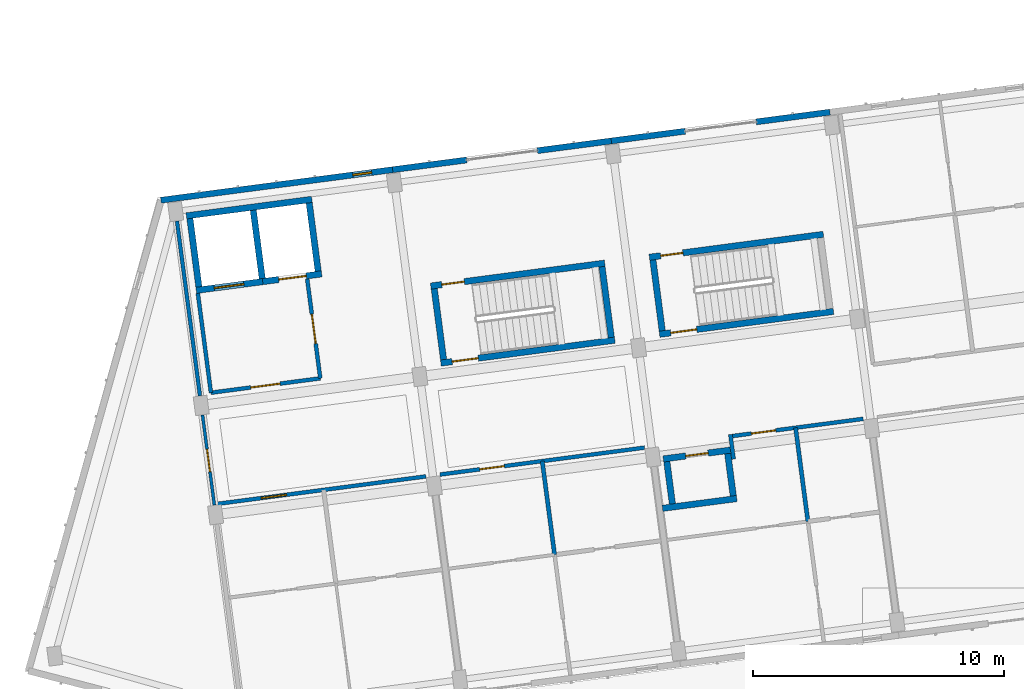
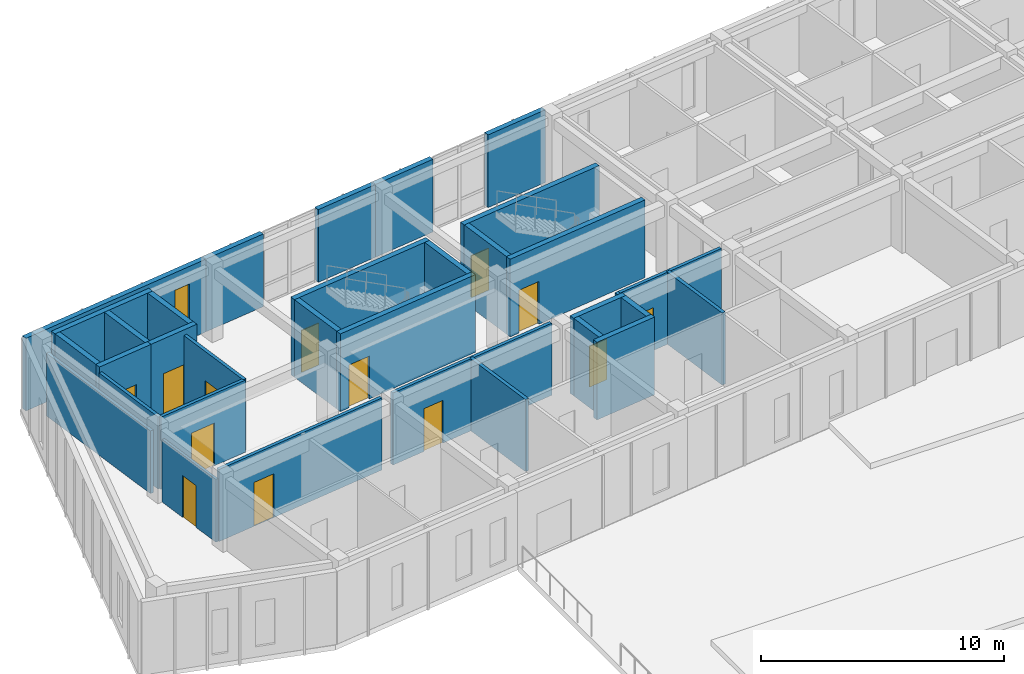
# One storey, part 93 of 150: 33 walls, 13 doors, 1 window, 14 openings.
"""IFC4 building model written with IfcOpenShell, lengths in metres."""

from ifc_helpers import new_model, si_unit, direction, frame, frame_2d, origin, place, context, subcontext, project, spatial, rectangle, extrude, material, layer, layer_set, type_object, element, fill, save


model = new_model("IFC4")

# Units and contexts
model_context = context("Model", 3, precision=1e-05, world=origin(), true_north=direction((0.0, 1.0)))
body_context = subcontext(model_context, "Body", "Model", "MODEL_VIEW")
ifc_project = project(units=[si_unit("LENGTHUNIT", "METRE"), si_unit("AREAUNIT", "SQUARE_METRE"), si_unit("VOLUMEUNIT", "CUBIC_METRE"), si_unit("PLANEANGLEUNIT", "RADIAN"), si_unit("MASSUNIT", "GRAM", prefix="KILO")], contexts=[model_context])

# Site, building, storey
site_placement = place(None, origin())
site = spatial("IfcSite", under=ifc_project, at=site_placement, CompositionType="ELEMENT")
building_placement = place(site_placement, origin())
building = spatial("IfcBuilding", under=site, at=building_placement, Name="Kestramere Prow Commons", CompositionType="ELEMENT")
storey_placement = place(building_placement, frame((0.0, 0.0, 4.5)))
storey = spatial("IfcBuildingStorey", under=building, at=storey_placement, Name="L01", CompositionType="ELEMENT", Elevation=4.5)

# Wall, opening, window
ifc_material_1 = material(Name="Fluoropolymer Standing-Seam Zinc-Aluminium Cladding", Category="aluminium")
ifc_layer_1 = layer(ifc_material_1, 0.239990234375)
ifc_layer_set_1 = layer_set([ifc_layer_1], Name="Fluoropolymer Standing-Seam Zinc-Aluminium Cladding")
wall_type_1 = type_object("IfcWallType", Name="EW-SEAM-240", PredefinedType="SOLIDWALL", material=ifc_layer_set_1)
wall_1_placement = place(storey_placement, frame((8.00048828125, 92.28076171875, 0.0), z_axis=(0.0, 0.0, 1.0), x_axis=(0.991442885224, 0.130541201693, 0.0)))
wall_1 = element("IfcWall", 1, at=wall_1_placement, inside=storey, type_object=wall_type_1, Name="Block A L01 North Standing-Seam Wall 1", PredefinedType="SOLIDWALL", context=body_context, shape_type="SweptSolid", body=[
    extrude(rectangle(XDim=9.324951171875, YDim=0.239990234375, at=frame_2d((4.66259765625, 0.0))), origin(), (0.0, 0.0, 1.0), 3.64990234375),
])
opening_1_placement = place(wall_1_placement, frame((7.72509765625, 0.0, 0.449951171875)))
opening_1 = element("IfcOpeningElement", 2, at=opening_1_placement, cuts=wall_1, Name="Opening WN-19", PredefinedType="OPENING", context=body_context, shape_type="SweptSolid", body=[
    extrude(rectangle(XDim=0.75, YDim=2.320068359375, at=frame_2d((0.375, 1.16015625))), frame((0.0, 0.135009765625, 0.0), z_axis=(0.0, -1.0, 0.0), x_axis=(1.0, 0.0, 0.0)), (0.0, 0.0, 1.0), 0.27001953125),
])
ifc_material_2 = material(Name="Low-E Laminated Double Glazing", Category="glass")
window_type = type_object("IfcWindowType", Name="WN-CLER-1800", PartitioningType="SINGLE_PANEL", PredefinedType="WINDOW", material=ifc_material_2)
window_placement = place(opening_1_placement, origin())
window = element("IfcWindow", 3, at=window_placement, inside=storey, type_object=window_type, Name="Block A L01 Core Lobby Slot Window", OverallHeight=2.320068359375, OverallWidth=0.75, PartitioningType="SINGLE_PANEL", PredefinedType="WINDOW", context=body_context, shape_type="SweptSolid", body=[
    extrude(rectangle(XDim=0.75, YDim=2.320068359375, at=frame_2d((0.375, 1.16015625))), frame((0.0, 0.030029296875, 0.0), z_axis=(0.0, -1.0, 0.0), x_axis=(1.0, 0.0, 0.0)), (0.0, 0.0, 1.0), 0.06005859375),
])
fill(opening_1, window)

# Walls
for number, where, z_axis, x_axis, name in (
    (4, (17.24560546875, 93.498046875, 0.0), (0.0, 0.0, 1.0), (0.991451502252, 0.130475739826, 0.0), "Block A L01 North Standing-Seam Pier 2L"),
    (5, (23.020751953125, 94.25830078125, 0.0), (0.0, 0.0, 1.0), (0.991440883744, 0.130556401758, 0.0), "Block A L01 North Standing-Seam Pier 2R"),
):
    element("IfcWall", number, at=place(storey_placement, frame(where, z_axis=z_axis, x_axis=x_axis)), inside=storey, type_object=wall_type_1, Name=name, PredefinedType="SOLIDWALL", context=body_context, shape_type="SweptSolid", body=[
        extrude(rectangle(XDim=2.97509765625, YDim=0.239990234375, at=frame_2d((1.487548828125, 0.0))), origin(), (0.0, 0.0, 1.0), 3.64990234375),
    ])
for number, where, z_axis, x_axis, name in (
    (6, (25.970458984375, 94.646728515625, 0.0), (0.0, 0.0, 1.0), (0.991450105095, 0.130486356022, 0.0), "Block A L01 North Standing-Seam Pier 3L"),
    (7, (31.74560546875, 95.406982421875, 0.0), (0.0, 0.0, 1.0), (0.991439484875, 0.130567024289, 0.0), "Block A L01 North Standing-Seam Pier 3R"),
):
    element("IfcWall", number, at=place(storey_placement, frame(where, z_axis=z_axis, x_axis=x_axis)), inside=storey, type_object=wall_type_1, Name=name, PredefinedType="SOLIDWALL", context=body_context, shape_type="SweptSolid", body=[
        extrude(rectangle(XDim=2.974853515625, YDim=0.239990234375, at=frame_2d((1.4873046875, 0.0))), origin(), (0.0, 0.0, 1.0), 3.64990234375),
    ])
ifc_material_3 = material(Name="Concrete C40/50", Category="concrete")
ifc_layer_2 = layer(ifc_material_3, 0.25)
ifc_layer_set_2 = layer_set([ifc_layer_2], Name="Concrete C40/50")
wall_type_2 = type_object("IfcWallType", Name="W-CORE-250", PredefinedType="SHEAR", material=ifc_layer_set_2)
wall_2_placement = place(storey_placement, frame((9.015380859375, 91.657958984375, 0.0), z_axis=(0.0, 0.0, 1.0), x_axis=(0.991444419808, 0.130529546201, 0.0)))
element("IfcWall", 8, at=wall_2_placement, inside=storey, type_object=wall_type_2, Name="Block A L01 Lift Core Back Wall", PredefinedType="SHEAR", context=body_context, shape_type="SweptSolid", body=[
    extrude(rectangle(XDim=5.050048828125, YDim=0.25, at=frame_2d((2.52490234375, 0.0))), origin(), (0.0, 0.0, 1.0), 3.89990234375),
])

# Wall, opening, door
wall_3_placement = place(storey_placement, frame((9.406982421875, 88.68359375, 0.0), z_axis=(0.0, 0.0, 1.0), x_axis=(0.991434713833, 0.130603247307, 0.0)))
wall_3 = element("IfcWall", 9, at=wall_3_placement, inside=storey, type_object=wall_type_2, Name="Block A L01 Fire Lift Shaft Front Wall", PredefinedType="SHEAR", context=body_context, shape_type="SweptSolid", body=[
    extrude(rectangle(XDim=2.675048828125, YDim=0.25, at=frame_2d((1.33740234375, 0.0))), origin(), (0.0, 0.0, 1.0), 3.89990234375),
])
opening_2_placement = place(wall_3_placement, frame((0.719970703125, 0.0, 0.0)))
opening_2 = element("IfcOpeningElement", 10, at=opening_2_placement, cuts=wall_3, Name="Opening LD-02", PredefinedType="OPENING", context=body_context, shape_type="SweptSolid", body=[
    extrude(rectangle(XDim=1.199951171875, YDim=2.199951171875, at=frame_2d((0.60009765625, 1.10009765625))), frame((0.0, 0.139892578125, 0.0), z_axis=(0.0, -1.0, 0.0), x_axis=(1.0, 0.0, 0.0)), (0.0, 0.0, 1.0), 0.280029296875),
])
ifc_material_4 = material(Name="Brushed Stainless Steel 316", Category="steel")
door_type_1 = type_object("IfcDoorType", Name="LD-02", OperationType="DOUBLE_DOOR_SLIDING", PredefinedType="DOOR", material=ifc_material_4)
door_1_placement = place(opening_2_placement, origin())
door_1 = element("IfcDoor", 11, at=door_1_placement, inside=storey, type_object=door_type_1, Name="FL-A1 L01 Lift Landing Door", OperationType="DOUBLE_DOOR_SLIDING", OverallHeight=2.199951171875, OverallWidth=1.199951171875, PredefinedType="DOOR", context=body_context, shape_type="SweptSolid", body=[
    extrude(rectangle(XDim=1.199951171875, YDim=2.199951171875, at=frame_2d((0.60009765625, 1.10009765625))), frame((0.0, 0.02490234375, 0.0), z_axis=(0.0, -1.0, 0.0), x_axis=(1.0, 0.0, 0.0)), (0.0, 0.0, 1.0), 0.050048828125),
])
fill(opening_2, door_1)

wall_4_placement = place(storey_placement, frame((12.05908203125, 89.032958984375, 0.0), z_axis=(0.0, 0.0, 1.0), x_axis=(0.99145534515, 0.130446535303, 0.0)))
wall_4 = element("IfcWall", 12, at=wall_4_placement, inside=storey, type_object=wall_type_2, Name="Block A L01 Passenger Lift Shaft Front Wall", PredefinedType="SHEAR", context=body_context, shape_type="SweptSolid", body=[
    extrude(rectangle(XDim=2.375, YDim=0.25, at=frame_2d((1.1875, 0.0))), origin(), (0.0, 0.0, 1.0), 3.89990234375),
])
opening_3_placement = place(wall_4_placement, frame((0.64990234375, 0.0, 0.0)))
opening_3 = element("IfcOpeningElement", 13, at=opening_3_placement, cuts=wall_4, Name="Opening LD-01", PredefinedType="OPENING", context=body_context, shape_type="SweptSolid", body=[
    extrude(rectangle(XDim=1.10009765625, YDim=2.14990234375, at=frame_2d((0.550048828125, 1.074951171875))), frame((0.0, 0.139892578125, 0.0), z_axis=(0.0, -1.0, 0.0), x_axis=(1.0, 0.0, 0.0)), (0.0, 0.0, 1.0), 0.280029296875),
])
ifc_material_5 = material(Name="Brushed Stainless Steel 304", Category="steel")
door_type_2 = type_object("IfcDoorType", Name="LD-01", OperationType="DOUBLE_DOOR_SLIDING", PredefinedType="DOOR", material=ifc_material_5)
door_2_placement = place(opening_3_placement, origin())
door_2 = element("IfcDoor", 14, at=door_2_placement, inside=storey, type_object=door_type_2, Name="PL-A2 L01 Lift Landing Door", OperationType="DOUBLE_DOOR_SLIDING", OverallHeight=2.14990234375, OverallWidth=1.10009765625, PredefinedType="DOOR", context=body_context, shape_type="SweptSolid", body=[
    extrude(rectangle(XDim=1.10009765625, YDim=2.14990234375, at=frame_2d((0.550048828125, 1.074951171875))), frame((0.0, 0.02490234375, 0.0), z_axis=(0.0, -1.0, 0.0), x_axis=(1.0, 0.0, 0.0)), (0.0, 0.0, 1.0), 0.050048828125),
])
fill(opening_3, door_2)

# Walls
for number, where, z_axis, x_axis, name in (
    (15, (9.5146484375, 88.823974609375, 0.0), (0.0, 0.0, 1.0), (-0.130500441374, 0.991448251197, 0.0), "Block A L01 Lift Core Side Wall L"),
    (16, (12.042724609375, 89.15673828125, 0.0), (0.0, 0.0, 1.0), (-0.130500441374, 0.991448251197, 0.0), "Block A L01 Lift Core Side Wall M"),
    (17, (14.2734375, 89.450439453125, 0.0), (0.0, 0.0, 1.0), (-0.130500441374, 0.991448251197, 0.0), "Block A L01 Lift Core Side Wall R"),
):
    element("IfcWall", number, at=place(storey_placement, frame(where, z_axis=z_axis, x_axis=x_axis)), inside=storey, type_object=wall_type_2, Name=name, PredefinedType="SHEAR", context=body_context, shape_type="SweptSolid", body=[
        extrude(rectangle(XDim=2.75, YDim=0.25, at=frame_2d((1.375, 0.0))), origin(), (0.0, 0.0, 1.0), 3.89990234375),
    ])

# Wall, opening, door
wall_5_placement = place(storey_placement, frame((18.764404296875, 88.856689453125, 0.0), z_axis=(0.0, 0.0, 1.0), x_axis=(0.991447052715, 0.13050954625, 0.0)))
wall_5 = element("IfcWall", 18, at=wall_5_placement, inside=storey, type_object=wall_type_2, Name="ST-A1 L01 North Shaft Wall", PredefinedType="SHEAR", context=body_context, shape_type="SweptSolid", body=[
    extrude(rectangle(XDim=7.0, YDim=0.25, at=frame_2d((3.5, 0.0))), origin(), (0.0, 0.0, 1.0), 3.89990234375),
])
opening_4_placement = place(wall_5_placement, frame((0.449951171875, 0.0, 0.0)))
opening_4 = element("IfcOpeningElement", 19, at=opening_4_placement, cuts=wall_5, Name="Opening ID-08", PredefinedType="OPENING", context=body_context, shape_type="SweptSolid", body=[
    extrude(rectangle(XDim=0.89990234375, YDim=2.10009765625, at=frame_2d((0.449951171875, 1.050048828125))), frame((0.0, 0.139892578125, 0.0), z_axis=(0.0, -1.0, 0.0), x_axis=(1.0, 0.0, 0.0)), (0.0, 0.0, 1.0), 0.280029296875),
])
ifc_material_6 = material(Name="Engineered Timber Flush Door", Category="wood")
door_type_3 = type_object("IfcDoorType", Name="D-RM-01", OperationType="NOTDEFINED", PredefinedType="DOOR", material=ifc_material_6)
door_3_placement = place(opening_4_placement, origin())
door_3 = element("IfcDoor", 20, at=door_3_placement, inside=storey, type_object=door_type_3, Name="ST-A1 L01 North Room Door", OperationType="SINGLE_SWING_RIGHT", OverallHeight=2.10009765625, OverallWidth=0.89990234375, PredefinedType="DOOR", context=body_context, shape_type="SweptSolid", body=[
    extrude(rectangle(XDim=0.89990234375, YDim=2.10009765625, at=frame_2d((0.449951171875, 1.050048828125))), frame((0.0, 0.02490234375, 0.0), z_axis=(0.0, -1.0, 0.0), x_axis=(1.0, 0.0, 0.0)), (0.0, 0.0, 1.0), 0.050048828125),
])
fill(opening_4, door_3)

wall_6_placement = place(storey_placement, frame((19.169189453125, 85.783203125, 0.0), z_axis=(0.0, 0.0, 1.0), x_axis=(0.991446458634, 0.130514059249, 0.0)))
wall_6 = element("IfcWall", 21, at=wall_6_placement, inside=storey, type_object=wall_type_2, Name="ST-A1 L01 Corridor Shaft Wall", PredefinedType="SHEAR", context=body_context, shape_type="SweptSolid", body=[
    extrude(rectangle(XDim=6.999755859375, YDim=0.25, at=frame_2d((3.5, 0.0))), origin(), (0.0, 0.0, 1.0), 3.89990234375),
])
opening_5_placement = place(wall_6_placement, frame((0.449951171875, 0.0, 0.0)))
opening_5 = element("IfcOpeningElement", 22, at=opening_5_placement, cuts=wall_6, Name="Opening ID-01", PredefinedType="OPENING", context=body_context, shape_type="SweptSolid", body=[
    extrude(rectangle(XDim=1.050048828125, YDim=2.14990234375, at=frame_2d((0.52490234375, 1.074951171875))), frame((0.0, 0.139892578125, 0.0), z_axis=(0.0, -1.0, 0.0), x_axis=(1.0, 0.0, 0.0)), (0.0, 0.0, 1.0), 0.280029296875),
])
ifc_material_7 = material(Name="Fire-Rated Timber and Steel Frame", Category="steel")
door_type_4 = type_object("IfcDoorType", Name="FD-ST-01", OperationType="NOTDEFINED", PredefinedType="DOOR", material=ifc_material_7)
door_4_placement = place(opening_5_placement, origin())
door_4 = element("IfcDoor", 23, at=door_4_placement, inside=storey, type_object=door_type_4, Name="ST-A1 L01 Protected Stair Door", OperationType="SINGLE_SWING_RIGHT", OverallHeight=2.14990234375, OverallWidth=1.050048828125, PredefinedType="DOOR", context=body_context, shape_type="SweptSolid", body=[
    extrude(rectangle(XDim=1.050048828125, YDim=2.14990234375, at=frame_2d((0.52490234375, 1.074951171875))), frame((0.0, 0.02490234375, 0.0), z_axis=(0.0, -1.0, 0.0), x_axis=(1.0, 0.0, 0.0)), (0.0, 0.0, 1.0), 0.050048828125),
])
fill(opening_5, door_4)

# Walls
for number, where, z_axis, x_axis, name in (
    (24, (19.27685546875, 85.92333984375, 0.0), (0.0, 0.0, 1.0), (-0.130547578832, 0.991442045538, 0.0), "ST-A1 L01 Near Shaft Wall"),
    (25, (25.968994140625, 86.804443359375, 0.0), (0.0, 0.0, 1.0), (-0.130547578832, 0.991442045538, 0.0), "ST-A1 L01 Far Shaft Wall"),
):
    element("IfcWall", number, at=place(storey_placement, frame(where, z_axis=z_axis, x_axis=x_axis)), inside=storey, type_object=wall_type_2, Name=name, PredefinedType="SHEAR", context=body_context, shape_type="SweptSolid", body=[
        extrude(rectangle(XDim=2.85009765625, YDim=0.25, at=frame_2d((1.425048828125, 0.0))), origin(), (0.0, 0.0, 1.0), 3.89990234375),
    ])

# Wall, opening, door
wall_7_placement = place(storey_placement, frame((27.4892578125, 90.005126953125, 0.0), z_axis=(0.0, 0.0, 1.0), x_axis=(0.991441944909, 0.130548343059, 0.0)))
wall_7 = element("IfcWall", 26, at=wall_7_placement, inside=storey, type_object=wall_type_2, Name="ST-A2 L01 North Shaft Wall", PredefinedType="SHEAR", context=body_context, shape_type="SweptSolid", body=[
    extrude(rectangle(XDim=6.999755859375, YDim=0.25, at=frame_2d((3.5, 0.0))), origin(), (0.0, 0.0, 1.0), 3.89990234375),
])
opening_6_placement = place(wall_7_placement, frame((0.449951171875, 0.0, 0.0)))
opening_6 = element("IfcOpeningElement", 27, at=opening_6_placement, cuts=wall_7, Name="Opening ID-08", PredefinedType="OPENING", context=body_context, shape_type="SweptSolid", body=[
    extrude(rectangle(XDim=0.89990234375, YDim=2.10009765625, at=frame_2d((0.449951171875, 1.050048828125))), frame((0.0, 0.139892578125, 0.0), z_axis=(0.0, -1.0, 0.0), x_axis=(1.0, 0.0, 0.0)), (0.0, 0.0, 1.0), 0.280029296875),
])
door_5_placement = place(opening_6_placement, origin())
door_5 = element("IfcDoor", 28, at=door_5_placement, inside=storey, type_object=door_type_3, Name="ST-A2 L01 North Room Door", OperationType="SINGLE_SWING_RIGHT", OverallHeight=2.10009765625, OverallWidth=0.89990234375, PredefinedType="DOOR", context=body_context, shape_type="SweptSolid", body=[
    extrude(rectangle(XDim=0.89990234375, YDim=2.10009765625, at=frame_2d((0.449951171875, 1.050048828125))), frame((0.0, 0.02490234375, 0.0), z_axis=(0.0, -1.0, 0.0), x_axis=(1.0, 0.0, 0.0)), (0.0, 0.0, 1.0), 0.050048828125),
])
fill(opening_6, door_5)

wall_8_placement = place(storey_placement, frame((27.893798828125, 86.931640625, 0.0), z_axis=(0.0, 0.0, 1.0), x_axis=(0.991442539299, 0.130543828916, 0.0)))
wall_8 = element("IfcWall", 29, at=wall_8_placement, inside=storey, type_object=wall_type_2, Name="ST-A2 L01 Corridor Shaft Wall", PredefinedType="SHEAR", context=body_context, shape_type="SweptSolid", body=[
    extrude(rectangle(XDim=7.0, YDim=0.25, at=frame_2d((3.5, 0.0))), origin(), (0.0, 0.0, 1.0), 3.89990234375),
])
opening_7_placement = place(wall_8_placement, frame((0.449951171875, 0.0, 0.0)))
opening_7 = element("IfcOpeningElement", 30, at=opening_7_placement, cuts=wall_8, Name="Opening ID-01", PredefinedType="OPENING", context=body_context, shape_type="SweptSolid", body=[
    extrude(rectangle(XDim=1.050048828125, YDim=2.14990234375, at=frame_2d((0.52490234375, 1.074951171875))), frame((0.0, 0.139892578125, 0.0), z_axis=(0.0, -1.0, 0.0), x_axis=(1.0, 0.0, 0.0)), (0.0, 0.0, 1.0), 0.280029296875),
])
door_6_placement = place(opening_7_placement, origin())
door_6 = element("IfcDoor", 31, at=door_6_placement, inside=storey, type_object=door_type_4, Name="ST-A2 L01 Protected Stair Door", OperationType="SINGLE_SWING_RIGHT", OverallHeight=2.14990234375, OverallWidth=1.050048828125, PredefinedType="DOOR", context=body_context, shape_type="SweptSolid", body=[
    extrude(rectangle(XDim=1.050048828125, YDim=2.14990234375, at=frame_2d((0.52490234375, 1.074951171875))), frame((0.0, 0.02490234375, 0.0), z_axis=(0.0, -1.0, 0.0), x_axis=(1.0, 0.0, 0.0)), (0.0, 0.0, 1.0), 0.050048828125),
])
fill(opening_7, door_6)

# Wall
wall_9_placement = place(storey_placement, frame((28.00146484375, 87.072021484375, 0.0), z_axis=(0.0, 0.0, 1.0), x_axis=(-0.130547578832, 0.991442045538, 0.0)))
element("IfcWall", 32, at=wall_9_placement, inside=storey, type_object=wall_type_2, Name="ST-A2 L01 Near Shaft Wall", PredefinedType="SHEAR", context=body_context, shape_type="SweptSolid", body=[
    extrude(rectangle(XDim=2.85009765625, YDim=0.25, at=frame_2d((1.425048828125, 0.0))), origin(), (0.0, 0.0, 1.0), 3.89990234375),
])

# Wall, opening, door
ifc_material_8 = material(Name="Fire-Rated Calcium Silicate Wall")
ifc_layer_3 = layer(ifc_material_8, 0.155029296875)
ifc_layer_set_3 = layer_set([ifc_layer_3], Name="Fire-Rated Calcium Silicate Wall")
wall_type_3 = type_object("IfcWallType", Name="W-FIRE-150", PredefinedType="PARTITIONING", material=ifc_layer_set_3)
wall_10_placement = place(storey_placement, frame((9.994873046875, 84.6005859375, 0.0), z_axis=(0.0, 0.0, 1.0), x_axis=(0.991448440179, 0.130499005613, 0.0)))
wall_10 = element("IfcWall", 33, at=wall_10_placement, inside=storey, type_object=wall_type_3, Name="Interior Partition PW-A-L01-FFL-S", PredefinedType="PARTITIONING", context=body_context, shape_type="SweptSolid", body=[
    extrude(rectangle(XDim=4.400146484375, YDim=0.155029296875, at=frame_2d((2.2001953125, 0.0))), origin(), (0.0, 0.0, 1.0), 3.6201171875),
])
opening_8_placement = place(wall_10_placement, frame((1.60009765625, 0.0, 0.0)))
opening_8 = element("IfcOpeningElement", 34, at=opening_8_placement, cuts=wall_10, Name="Opening ID-03", PredefinedType="OPENING", context=body_context, shape_type="SweptSolid", body=[
    extrude(rectangle(XDim=1.179931640625, YDim=2.14990234375, at=frame_2d((0.58984375, 1.074951171875))), frame((0.0, 0.092529296875, 0.0), z_axis=(0.0, -1.0, 0.0), x_axis=(1.0, 0.0, 0.0)), (0.0, 0.0, 1.0), 0.18505859375),
])
ifc_material_9 = material(Name="Fire-Rated Glazed Smoke-Stop Door")
door_type_5 = type_object("IfcDoorType", Name="FD-LB-01", OperationType="NOTDEFINED", PredefinedType="DOOR", material=ifc_material_9)
door_7_placement = place(opening_8_placement, origin())
door_7 = element("IfcDoor", 35, at=door_7_placement, inside=storey, type_object=door_type_5, Name="Interior Door DR-A-L01-FFL", OperationType="SINGLE_SWING_RIGHT", OverallHeight=2.14990234375, OverallWidth=1.179931640625, PredefinedType="DOOR", context=body_context, shape_type="SweptSolid", body=[
    extrude(rectangle(XDim=1.179931640625, YDim=2.14990234375, at=frame_2d((0.58984375, 1.074951171875))), frame((0.0, 0.02490234375, 0.0), z_axis=(0.0, -1.0, 0.0), x_axis=(1.0, 0.0, 0.0)), (0.0, 0.0, 1.0), 0.050048828125),
])
fill(opening_8, door_7)

# Wall
wall_11_placement = place(storey_placement, frame((9.994873046875, 84.6005859375, 0.0), z_axis=(0.0, 0.0, 1.0), x_axis=(-0.130492404742, 0.991449308994, 0.0)))
element("IfcWall", 36, at=wall_11_placement, inside=storey, type_object=wall_type_3, Name="Interior Partition PW-A-L01-FFL-W", PredefinedType="PARTITIONING", context=body_context, shape_type="SweptSolid", body=[
    extrude(rectangle(XDim=4.0, YDim=0.155029296875, at=frame_2d((2.0, 0.0))), origin(), (0.0, 0.0, 1.0), 3.6201171875),
])

# Wall, opening, door
wall_12_placement = place(storey_placement, frame((14.357421875, 85.1748046875, 0.0), z_axis=(0.0, 0.0, 1.0), x_axis=(-0.130552399509, 0.991441410766, 0.0)))
wall_12 = element("IfcWall", 37, at=wall_12_placement, inside=storey, type_object=wall_type_3, Name="Interior Partition PW-A-L01-FFL-E", PredefinedType="PARTITIONING", context=body_context, shape_type="SweptSolid", body=[
    extrude(rectangle(XDim=4.0, YDim=0.155029296875, at=frame_2d((2.0, 0.0))), origin(), (0.0, 0.0, 1.0), 3.6201171875),
])
opening_9_placement = place(wall_12_placement, frame((1.39990234375, 0.0, 0.0)))
opening_9 = element("IfcOpeningElement", 38, at=opening_9_placement, cuts=wall_12, Name="Opening ID-03", PredefinedType="OPENING", context=body_context, shape_type="SweptSolid", body=[
    extrude(rectangle(XDim=1.179931640625, YDim=2.14990234375, at=frame_2d((0.58984375, 1.074951171875))), frame((0.0, 0.092529296875, 0.0), z_axis=(0.0, -1.0, 0.0), x_axis=(1.0, 0.0, 0.0)), (0.0, 0.0, 1.0), 0.18505859375),
])
door_8_placement = place(opening_9_placement, origin())
door_8 = element("IfcDoor", 39, at=door_8_placement, inside=storey, type_object=door_type_5, Name="Interior Door DR-A-L01-FFL-PL", OperationType="SINGLE_SWING_LEFT", OverallHeight=2.14990234375, OverallWidth=1.179931640625, PredefinedType="DOOR", context=body_context, shape_type="SweptSolid", body=[
    extrude(rectangle(XDim=1.179931640625, YDim=2.14990234375, at=frame_2d((0.58984375, 1.074951171875))), frame((0.0, 0.02490234375, 0.0), z_axis=(0.0, -1.0, 0.0), x_axis=(1.0, 0.0, 0.0)), (0.0, 0.0, 1.0), 0.050048828125),
])
fill(opening_9, door_8)

wall_13_placement = place(storey_placement, frame((10.196533203125, 80.158935546875, 0.0), z_axis=(0.0, 0.0, 1.0), x_axis=(0.991448685923, 0.130497138599, 0.0)))
wall_13 = element("IfcWall", 40, at=wall_13_placement, inside=storey, type_object=wall_type_3, Name="Interior Partition PW-A-L01-CS-0", PredefinedType="PARTITIONING", context=body_context, shape_type="SweptSolid", body=[
    extrude(rectangle(XDim=8.445068359375, YDim=0.155029296875, at=frame_2d((4.22265625, 0.0))), origin(), (0.0, 0.0, 1.0), 3.6201171875),
])
opening_10_placement = place(wall_13_placement, frame((1.820068359375, 0.0, 0.0)))
opening_10 = element("IfcOpeningElement", 41, at=opening_10_placement, cuts=wall_13, Name="Opening ID-05", PredefinedType="OPENING", context=body_context, shape_type="SweptSolid", body=[
    extrude(rectangle(XDim=1.02001953125, YDim=2.199951171875, at=frame_2d((0.510009765625, 1.10009765625))), frame((0.0, 0.092529296875, 0.0), z_axis=(0.0, -1.0, 0.0), x_axis=(1.0, 0.0, 0.0)), (0.0, 0.0, 1.0), 0.18505859375),
])
ifc_material_10 = material(Name="Hardwood Fire-Rated Flat Entrance Door", Category="wood")
door_type_6 = type_object("IfcDoorType", Name="FD-ENT-02", OperationType="NOTDEFINED", PredefinedType="DOOR", material=ifc_material_10)
door_9_placement = place(opening_10_placement, origin())
door_9 = element("IfcDoor", 42, at=door_9_placement, inside=storey, type_object=door_type_6, Name="Interior Door DR-A-L01-ENT-S0", OperationType="SINGLE_SWING_RIGHT", OverallHeight=2.199951171875, OverallWidth=1.02001953125, PredefinedType="DOOR", context=body_context, shape_type="SweptSolid", body=[
    extrude(rectangle(XDim=1.02001953125, YDim=2.199951171875, at=frame_2d((0.510009765625, 1.10009765625))), frame((0.0, 0.02490234375, 0.0), z_axis=(0.0, -1.0, 0.0), x_axis=(1.0, 0.0, 0.0)), (0.0, 0.0, 1.0), 0.050048828125),
])
fill(opening_10, door_9)

wall_14_placement = place(storey_placement, frame((19.13427734375, 81.33544921875, 0.0), z_axis=(0.0, 0.0, 1.0), x_axis=(0.991445206002, 0.130523574484, 0.0)))
wall_14 = element("IfcWall", 43, at=wall_14_placement, inside=storey, type_object=wall_type_3, Name="Interior Partition PW-A-L01-CS-1", PredefinedType="PARTITIONING", context=body_context, shape_type="SweptSolid", body=[
    extrude(rectangle(XDim=8.22998046875, YDim=0.155029296875, at=frame_2d((4.114990234375, 0.0))), origin(), (0.0, 0.0, 1.0), 3.6201171875),
])
opening_11_placement = place(wall_14_placement, frame((1.60498046875, 0.0, 0.0)))
opening_11 = element("IfcOpeningElement", 44, at=opening_11_placement, cuts=wall_14, Name="Opening ID-04", PredefinedType="OPENING", context=body_context, shape_type="SweptSolid", body=[
    extrude(rectangle(XDim=0.97998046875, YDim=2.14990234375, at=frame_2d((0.489990234375, 1.074951171875))), frame((0.0, 0.092529296875, 0.0), z_axis=(0.0, -1.0, 0.0), x_axis=(1.0, 0.0, 0.0)), (0.0, 0.0, 1.0), 0.18505859375),
])
door_type_7 = type_object("IfcDoorType", Name="FD-ENT-01", OperationType="NOTDEFINED", PredefinedType="DOOR", material=ifc_material_10)
door_10_placement = place(opening_11_placement, origin())
door_10 = element("IfcDoor", 45, at=door_10_placement, inside=storey, type_object=door_type_7, Name="Interior Door DR-A-L01-ENT-S1", OperationType="SINGLE_SWING_LEFT", OverallHeight=2.14990234375, OverallWidth=0.97998046875, PredefinedType="DOOR", context=body_context, shape_type="SweptSolid", body=[
    extrude(rectangle(XDim=0.97998046875, YDim=2.14990234375, at=frame_2d((0.489990234375, 1.074951171875))), frame((0.0, 0.02490234375, 0.0), z_axis=(0.0, -1.0, 0.0), x_axis=(1.0, 0.0, 0.0)), (0.0, 0.0, 1.0), 0.050048828125),
])
fill(opening_11, door_10)

# Wall
wall_15_placement = place(storey_placement, frame((30.849365234375, 81.949951171875, 0.0), z_axis=(0.0, 0.0, 1.0), x_axis=(-0.13055608231, 0.99144092581, 0.0)))
element("IfcWall", 46, at=wall_15_placement, inside=storey, type_object=wall_type_3, Name="Interior Partition PW-A-L01-HS-CLOSER", PredefinedType="PARTITIONING", context=body_context, shape_type="SweptSolid", body=[
    extrude(rectangle(XDim=0.994873046875, YDim=0.155029296875, at=frame_2d((0.49755859375, 0.0))), origin(), (0.0, 0.0, 1.0), 3.6201171875),
])

# Wall, opening, door
wall_16_placement = place(storey_placement, frame((30.80859375, 82.87255859375, 0.0), z_axis=(0.0, 0.0, 1.0), x_axis=(0.991447652655, 0.130504988581, 0.0)))
wall_16 = element("IfcWall", 47, at=wall_16_placement, inside=storey, type_object=wall_type_3, Name="Interior Partition PW-A-L01-CS-2", PredefinedType="PARTITIONING", context=body_context, shape_type="SweptSolid", body=[
    extrude(rectangle(XDim=5.2548828125, YDim=0.155029296875, at=frame_2d((2.62744140625, 0.0))), origin(), (0.0, 0.0, 1.0), 3.6201171875),
])
opening_12_placement = place(wall_16_placement, frame((0.758056640625, 0.0, 0.0)))
opening_12 = element("IfcOpeningElement", 48, at=opening_12_placement, cuts=wall_16, Name="Opening ID-04", PredefinedType="OPENING", context=body_context, shape_type="SweptSolid", body=[
    extrude(rectangle(XDim=0.97998046875, YDim=2.14990234375, at=frame_2d((0.489990234375, 1.074951171875))), frame((0.0, 0.092529296875, 0.0), z_axis=(0.0, -1.0, 0.0), x_axis=(1.0, 0.0, 0.0)), (0.0, 0.0, 1.0), 0.18505859375),
])
door_11_placement = place(opening_12_placement, origin())
door_11 = element("IfcDoor", 49, at=door_11_placement, inside=storey, type_object=door_type_7, Name="Interior Door DR-A-L01-ENT-S2", OperationType="SINGLE_SWING_RIGHT", OverallHeight=2.14990234375, OverallWidth=0.97998046875, PredefinedType="DOOR", context=body_context, shape_type="SweptSolid", body=[
    extrude(rectangle(XDim=0.97998046875, YDim=2.14990234375, at=frame_2d((0.489990234375, 1.074951171875))), frame((0.0, 0.02490234375, 0.0), z_axis=(0.0, -1.0, 0.0), x_axis=(1.0, 0.0, 0.0)), (0.0, 0.0, 1.0), 0.050048828125),
])
fill(opening_12, door_11)

# Wall
ifc_layer_4 = layer(ifc_material_3, 0.25)
ifc_layer_set_4 = layer_set([ifc_layer_4], Name="Concrete C40/50")
wall_type_4 = type_object("IfcWallType", Name="W-HS-250", PredefinedType="SHEAR", material=ifc_layer_set_4)
wall_17_placement = place(storey_placement, frame((28.01123046875, 79.987548828125, 0.0), z_axis=(0.0, 0.0, 1.0), x_axis=(0.991439837467, 0.130564346904, 0.0)))
element("IfcWall", 50, at=wall_17_placement, inside=storey, type_object=wall_type_4, Name="Block A L01 Household Shelter South Wall", PredefinedType="SHEAR", context=body_context, shape_type="SweptSolid", body=[
    extrude(rectangle(XDim=2.989990234375, YDim=0.25, at=frame_2d((1.4951171875, 0.0))), origin(), (0.0, 0.0, 1.0), 3.89990234375),
])

# Wall, opening, door
wall_18_placement = place(storey_placement, frame((28.044189453125, 81.958740234375, 0.0), z_axis=(0.0, 0.0, 1.0), x_axis=(0.991439824936, 0.130564442062, 0.0)))
wall_18 = element("IfcWall", 51, at=wall_18_placement, inside=storey, type_object=wall_type_4, Name="Block A L01 Household Shelter North Wall", PredefinedType="SHEAR", context=body_context, shape_type="SweptSolid", body=[
    extrude(rectangle(XDim=2.7001953125, YDim=0.25, at=frame_2d((1.35009765625, 0.0))), origin(), (0.0, 0.0, 1.0), 3.89990234375),
])
opening_13_placement = place(wall_18_placement, frame((0.89990234375, 0.0, 0.0)))
opening_13 = element("IfcOpeningElement", 52, at=opening_13_placement, cuts=wall_18, Name="Opening ID-06", PredefinedType="OPENING", context=body_context, shape_type="SweptSolid", body=[
    extrude(rectangle(XDim=0.89990234375, YDim=2.050048828125, at=frame_2d((0.449951171875, 1.02490234375))), frame((0.0, 0.139892578125, 0.0), z_axis=(0.0, -1.0, 0.0), x_axis=(1.0, 0.0, 0.0)), (0.0, 0.0, 1.0), 0.280029296875),
])
ifc_material_11 = material(Name="Galvanised Steel S275JR Household Shelter Door", Category="steel")
door_type_8 = type_object("IfcDoorType", Name="FD-HS-01", OperationType="NOTDEFINED", PredefinedType="DOOR", material=ifc_material_11)
door_12_placement = place(opening_13_placement, origin())
door_12 = element("IfcDoor", 53, at=door_12_placement, inside=storey, type_object=door_type_8, Name="Block A L01 Household Shelter Blast Door", OperationType="SINGLE_SWING_LEFT", OverallHeight=2.050048828125, OverallWidth=0.89990234375, PredefinedType="DOOR", context=body_context, shape_type="SweptSolid", body=[
    extrude(rectangle(XDim=0.89990234375, YDim=2.050048828125, at=frame_2d((0.449951171875, 1.02490234375))), frame((0.0, 0.02490234375, 0.0), z_axis=(0.0, -1.0, 0.0), x_axis=(1.0, 0.0, 0.0)), (0.0, 0.0, 1.0), 0.050048828125),
])
fill(opening_13, door_12)

# Walls
wall_19_placement = place(storey_placement, frame((28.40625, 80.165771484375, 0.0), z_axis=(0.0, 0.0, 1.0), x_axis=(-0.130413643681, 0.991459672171, 0.0)))
element("IfcWall", 54, at=wall_19_placement, inside=storey, type_object=wall_type_4, Name="Block A L01 Household Shelter W Wall", PredefinedType="SHEAR", context=body_context, shape_type="SweptSolid", body=[
    extrude(rectangle(XDim=1.69970703125, YDim=0.25, at=frame_2d((0.849853515625, 0.0))), origin(), (0.0, 0.0, 1.0), 3.89990234375),
])
wall_20_placement = place(storey_placement, frame((30.83544921875, 80.485595703125, 0.0), z_axis=(0.0, 0.0, 1.0), x_axis=(-0.1305548243, 0.991441091468, 0.0)))
element("IfcWall", 55, at=wall_20_placement, inside=storey, type_object=wall_type_4, Name="Block A L01 Household Shelter E Wall", PredefinedType="SHEAR", context=body_context, shape_type="SweptSolid", body=[
    extrude(rectangle(XDim=1.699951171875, YDim=0.25, at=frame_2d((0.85009765625, 0.0))), origin(), (0.0, 0.0, 1.0), 3.89990234375),
])

# Wall, opening, door
ifc_material_12 = material(Name="Lightweight Blockwork and Plaster", Category="masonry")
ifc_layer_5 = layer(ifc_material_12, 0.1201171875)
ifc_layer_set_5 = layer_set([ifc_layer_5], Name="Lightweight Blockwork and Plaster")
wall_type_5 = type_object("IfcWallType", Name="W-PART-120", PredefinedType="PARTITIONING", material=ifc_layer_set_5)
wall_21_placement = place(storey_placement, frame((10.131591796875, 80.114990234375, 0.0), z_axis=(0.0, 0.0, 1.0), x_axis=(-0.130546722025, 0.991442158357, 0.0)))
wall_21 = element("IfcWall", 56, at=wall_21_placement, inside=storey, type_object=wall_type_5, Name="Interior Partition PW-A-L01-PROW-ACC", PredefinedType="PARTITIONING", context=body_context, shape_type="SweptSolid", body=[
    extrude(rectangle(XDim=3.6298828125, YDim=0.1201171875, at=frame_2d((1.81494140625, 0.0))), origin(), (0.0, 0.0, 1.0), 3.14990234375),
])
opening_14_placement = place(wall_21_placement, frame((1.35009765625, 0.0, 0.0)))
opening_14 = element("IfcOpeningElement", 57, at=opening_14_placement, cuts=wall_21, Name="Opening ID-08", PredefinedType="OPENING", context=body_context, shape_type="SweptSolid", body=[
    extrude(rectangle(XDim=0.89990234375, YDim=2.10009765625, at=frame_2d((0.449951171875, 1.050048828125))), frame((0.0, 0.074951171875, 0.0), z_axis=(0.0, -1.0, 0.0), x_axis=(1.0, 0.0, 0.0)), (0.0, 0.0, 1.0), 0.150146484375),
])
door_13_placement = place(opening_14_placement, origin())
door_13 = element("IfcDoor", 58, at=door_13_placement, inside=storey, type_object=door_type_3, Name="Interior Door DR-A-L01-PROW", OperationType="SINGLE_SWING_LEFT", OverallHeight=2.10009765625, OverallWidth=0.89990234375, PredefinedType="DOOR", context=body_context, shape_type="SweptSolid", body=[
    extrude(rectangle(XDim=0.89990234375, YDim=2.10009765625, at=frame_2d((0.449951171875, 1.050048828125))), frame((0.0, 0.02490234375, 0.0), z_axis=(0.0, -1.0, 0.0), x_axis=(1.0, 0.0, 0.0)), (0.0, 0.0, 1.0), 0.050048828125),
])
fill(opening_14, door_13)

# Walls
ifc_material_13 = material(Name="Masonry Compartment Wall", Category="masonry")
ifc_layer_6 = layer(ifc_material_13, 0.14990234375)
ifc_layer_set_6 = layer_set([ifc_layer_6], Name="Masonry Compartment Wall")
wall_type_6 = type_object("IfcWallType", Name="W-PART-150", PredefinedType="PARTITIONING", material=ifc_layer_set_6)
wall_22_placement = place(storey_placement, frame((9.557373046875, 84.477294921875, 0.0), z_axis=(0.0, 0.0, 1.0), x_axis=(-0.130541650614, 0.991442826115, 0.0)))
element("IfcWall", 59, at=wall_22_placement, inside=storey, type_object=wall_type_6, Name="Interior Partition PW-A-L01-PRW-N", PredefinedType="PARTITIONING", context=body_context, shape_type="SweptSolid", body=[
    extrude(rectangle(XDim=7.030029296875, YDim=0.14990234375, at=frame_2d((3.51513671875, 0.0))), origin(), (0.0, 0.0, 1.0), 3.14990234375),
])
ifc_material_14 = material(Name="Waterproof Sanitary Masonry Wall", Category="masonry")
ifc_layer_7 = layer(ifc_material_14, 0.1650390625)
ifc_layer_set_7 = layer_set([ifc_layer_7], Name="Waterproof Sanitary Masonry Wall")
wall_type_7 = type_object("IfcWallType", Name="W-PLUMB-150", PredefinedType="PLUMBINGWALL", material=ifc_layer_set_7)
for number, where, z_axis, x_axis, name in (
    (60, (23.706298828125, 78.134765625, 0.0), (0.0, 0.0, 1.0), (-0.130551670646, 0.991441506742, 0.0), "Interior Partition PW-A-L01-KB-S1"),
    (61, (33.81396484375, 79.465576171875, 0.0), (0.0, 0.0, 1.0), (-0.13048801578, 0.99144988665, 0.0), "Interior Partition PW-A-L01-KB-S2"),
):
    element("IfcWall", number, at=place(storey_placement, frame(where, z_axis=z_axis, x_axis=x_axis)), inside=storey, type_object=wall_type_7, Name=name, PredefinedType="PLUMBINGWALL", context=body_context, shape_type="SweptSolid", body=[
        extrude(rectangle(XDim=3.77001953125, YDim=0.1650390625, at=frame_2d((1.885009765625, 0.0))), origin(), (0.0, 0.0, 1.0), 3.6201171875),
    ])

save(model, "model.ifc")
